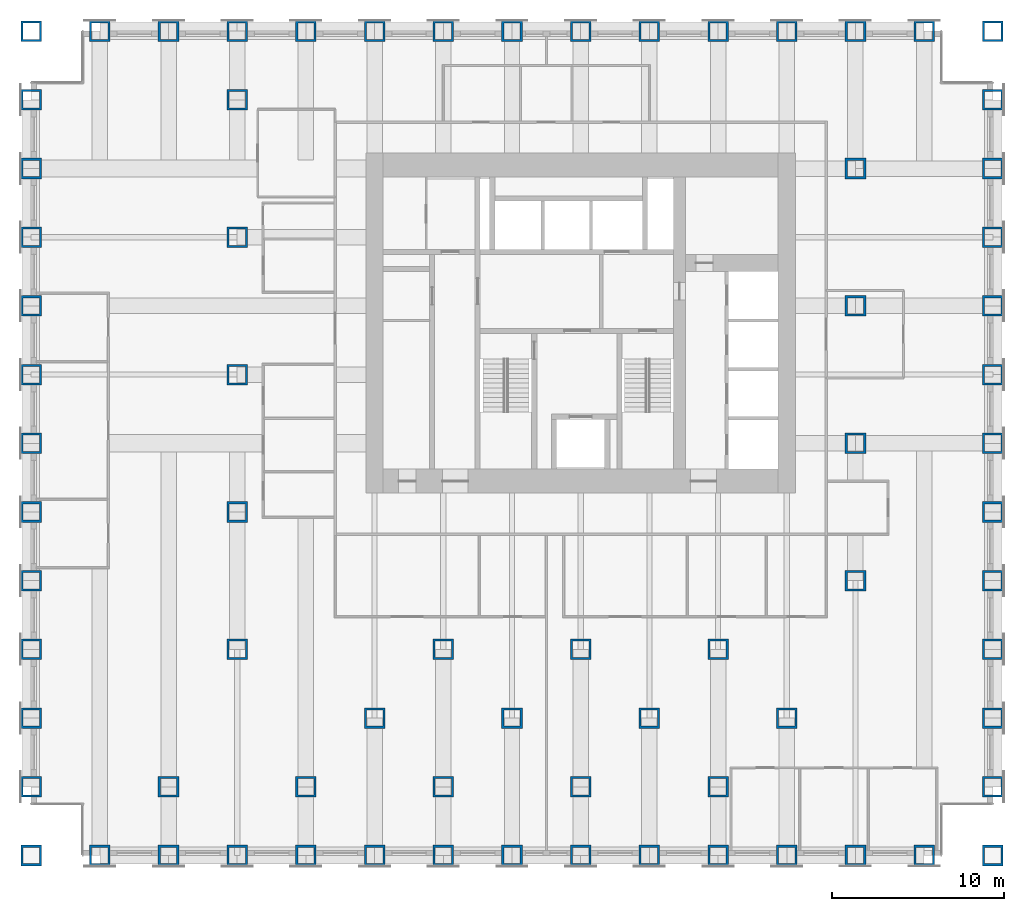
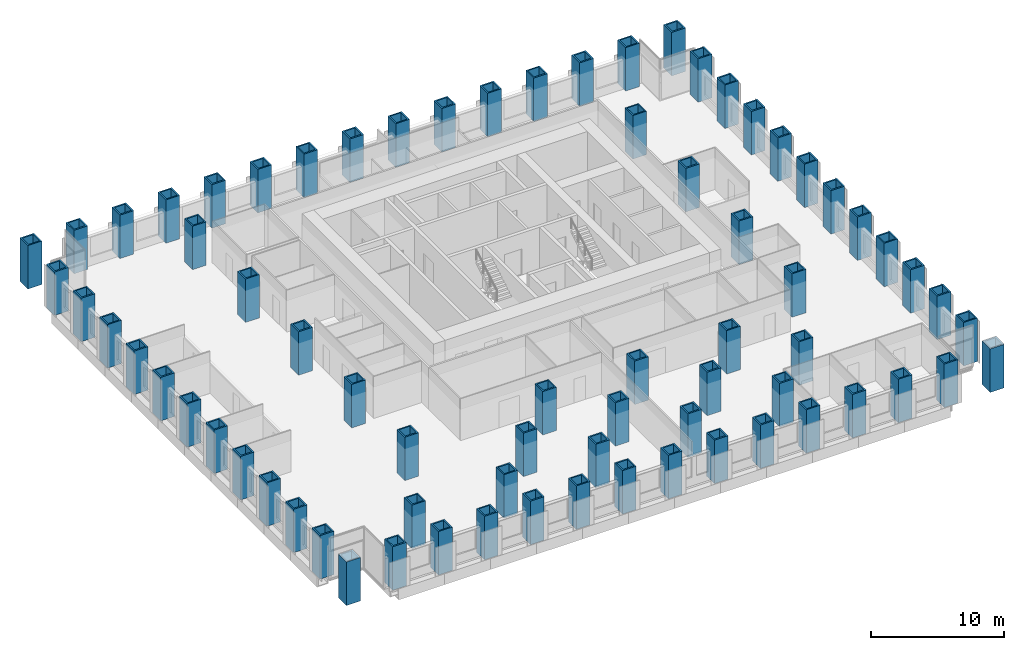
# One storey, part 1 of 15: 73 columns.
"""IFC4 building model written with IfcOpenShell, lengths in metres."""

from ifc_helpers import new_model, si_unit, direction, frame, origin, origin_2d, place, context, subcontext, project, spatial, hollow_rectangle, extrude, material, material_profile, profile_set, type_object, element, save


model = new_model("IFC4")

# Units and contexts
model_context = context("Model", 3, precision=1e-05, world=origin(), true_north=direction((0.0, 1.0)))
body_context = subcontext(model_context, "Body", "Model", "MODEL_VIEW")
ifc_project = project(units=[si_unit("LENGTHUNIT", "METRE"), si_unit("AREAUNIT", "SQUARE_METRE"), si_unit("VOLUMEUNIT", "CUBIC_METRE"), si_unit("PLANEANGLEUNIT", "RADIAN"), si_unit("MASSUNIT", "GRAM", prefix="KILO")], contexts=[model_context])

# Site, building, storey
site_placement = place(None, origin())
site = spatial("IfcSite", under=ifc_project, at=site_placement, CompositionType="ELEMENT")
building_placement = place(site_placement, origin())
building = spatial("IfcBuilding", under=site, at=building_placement, Name="Rimbunsela Tower", CompositionType="ELEMENT")
storey_placement = place(building_placement, frame((0.0, 0.0, 39.0)))
storey = spatial("IfcBuildingStorey", under=building, at=storey_placement, Name="L09", CompositionType="ELEMENT", Elevation=39.0)

# Columns
ifc_material = material(Name="Steel BJ 55 (fy 410 MPa)", Category="steel")
ifc_material_profile = material_profile(ifc_material, hollow_rectangle(XDim=1.199951171875, YDim=1.199951171875, WallThickness=0.125, at=origin_2d()), Name="BOX 1200x1200x125")
ifc_profile_set = profile_set([ifc_material_profile], Name="Steel BJ 55 (fy 410 MPa)")
column_type = type_object("IfcColumnType", Name="Column BOX 1200x1200x125", PredefinedType="COLUMN", material=ifc_profile_set)
for number, where, z_axis, x_axis, name in (
    (1, (-2.0, -4.0, 0.0), (0.0, 0.0, 1.0), (1.0, 0.0, 0.0), "Column C6 2/A L09"),
    (2, (-2.0, 0.0, 0.0), (0.0, 0.0, 1.0), (1.0, 0.0, 0.0), "Column C6 2/B L09"),
    (3, (-2.0, 4.0, 0.0), (0.0, 0.0, 1.0), (1.0, 0.0, 0.0), "Column C6 2/C L09"),
    (4, (-2.0, 8.0, 0.0), (0.0, 0.0, 1.0), (1.0, 0.0, 0.0), "Column C6 2/D L09"),
    (5, (-2.0, 12.0, 0.0), (0.0, 0.0, 1.0), (1.0, 0.0, 0.0), "Column C6 2/E L09"),
    (6, (-2.0, 16.0, 0.0), (0.0, 0.0, 1.0), (1.0, 0.0, 0.0), "Column C6 2/F L09"),
    (7, (-2.0, 20.0, 0.0), (0.0, 0.0, 1.0), (1.0, 0.0, 0.0), "Column C6 2/G L09"),
    (8, (-2.0, 24.0, 0.0), (0.0, 0.0, 1.0), (1.0, 0.0, 0.0), "Column C6 2/H L09"),
    (9, (-2.0, 28.0, 0.0), (0.0, 0.0, 1.0), (1.0, 0.0, 0.0), "Column C6 2/J L09"),
    (10, (-2.0, 32.0, 0.0), (0.0, 0.0, 1.0), (1.0, 0.0, 0.0), "Column C6 2/K L09"),
    (11, (-2.0, 36.0, 0.0), (0.0, 0.0, 1.0), (1.0, 0.0, 0.0), "Column C6 2/L L09"),
    (12, (-2.0, 40.0, 0.0), (0.0, 0.0, 1.0), (1.0, 0.0, 0.0), "Column C6 2/M L09"),
    (13, (-2.0, 44.0, 0.0), (0.0, 0.0, 1.0), (1.0, 0.0, 0.0), "Column C6 2/N L09"),
    (14, (2.0, -4.0, 0.0), (0.0, 0.0, 1.0), (1.0, 0.0, 0.0), "Column C6 3/A L09"),
    (15, (2.0, 44.0, 0.0), (0.0, 0.0, 1.0), (1.0, 0.0, 0.0), "Column C6 3/N L09"),
    (16, (6.0, -4.0, 0.0), (0.0, 0.0, 1.0), (1.0, 0.0, 0.0), "Column C6 4/A L09"),
    (17, (6.0, 44.0, 0.0), (0.0, 0.0, 1.0), (1.0, 0.0, 0.0), "Column C6 4/N L09"),
    (18, (10.0, -4.0, 0.0), (0.0, 0.0, 1.0), (1.0, 0.0, 0.0), "Column C6 5/A L09"),
    (19, (10.0, 44.0, 0.0), (0.0, 0.0, 1.0), (1.0, 0.0, 0.0), "Column C6 5/N L09"),
    (20, (14.0, -4.0, 0.0), (0.0, 0.0, 1.0), (1.0, 0.0, 0.0), "Column C6 6/A L09"),
    (21, (14.0, 44.0, 0.0), (0.0, 0.0, 1.0), (1.0, 0.0, 0.0), "Column C6 6/N L09"),
    (22, (18.0, -4.0, 0.0), (0.0, 0.0, 1.0), (1.0, 0.0, 0.0), "Column C6 7/A L09"),
    (23, (18.0, 44.0, 0.0), (0.0, 0.0, 1.0), (1.0, 0.0, 0.0), "Column C6 7/N L09"),
    (24, (22.0, -4.0, 0.0), (0.0, 0.0, 1.0), (1.0, 0.0, 0.0), "Column C6 8/A L09"),
    (25, (22.0, 44.0, 0.0), (0.0, 0.0, 1.0), (1.0, 0.0, 0.0), "Column C6 8/N L09"),
    (26, (26.0, -4.0, 0.0), (0.0, 0.0, 1.0), (1.0, 0.0, 0.0), "Column C6 9/A L09"),
    (27, (26.0, 44.0, 0.0), (0.0, 0.0, 1.0), (1.0, 0.0, 0.0), "Column C6 9/N L09"),
    (28, (30.0, -4.0, 0.0), (0.0, 0.0, 1.0), (1.0, 0.0, 0.0), "Column C6 10/A L09"),
    (29, (30.0, 44.0, 0.0), (0.0, 0.0, 1.0), (1.0, 0.0, 0.0), "Column C6 10/N L09"),
    (30, (34.0, -4.0, 0.0), (0.0, 0.0, 1.0), (1.0, 0.0, 0.0), "Column C6 11/A L09"),
    (31, (34.0, 44.0, 0.0), (0.0, 0.0, 1.0), (1.0, 0.0, 0.0), "Column C6 11/N L09"),
    (32, (38.0, -4.0, 0.0), (0.0, 0.0, 1.0), (1.0, 0.0, 0.0), "Column C6 12/A L09"),
    (33, (38.0, 44.0, 0.0), (0.0, 0.0, 1.0), (1.0, 0.0, 0.0), "Column C6 12/N L09"),
    (34, (42.0, -4.0, 0.0), (0.0, 0.0, 1.0), (1.0, 0.0, 0.0), "Column C6 13/A L09"),
    (35, (42.0, 44.0, 0.0), (0.0, 0.0, 1.0), (1.0, 0.0, 0.0), "Column C6 13/N L09"),
    (36, (46.0, -4.0, 0.0), (0.0, 0.0, 1.0), (1.0, 0.0, 0.0), "Column C6 14/A L09"),
    (37, (46.0, 44.0, 0.0), (0.0, 0.0, 1.0), (1.0, 0.0, 0.0), "Column C6 14/N L09"),
    (38, (50.0, -4.0, 0.0), (0.0, 0.0, 1.0), (1.0, 0.0, 0.0), "Column C6 15/A L09"),
    (39, (50.0, 44.0, 0.0), (0.0, 0.0, 1.0), (1.0, 0.0, 0.0), "Column C6 15/N L09"),
    (40, (54.0, -4.0, 0.0), (0.0, 0.0, 1.0), (1.0, 0.0, 0.0), "Column C6 16/A L09"),
    (41, (54.0, 0.0, 0.0), (0.0, 0.0, 1.0), (1.0, 0.0, 0.0), "Column C6 16/B L09"),
    (42, (54.0, 4.0, 0.0), (0.0, 0.0, 1.0), (1.0, 0.0, 0.0), "Column C6 16/C L09"),
    (43, (54.0, 8.0, 0.0), (0.0, 0.0, 1.0), (1.0, 0.0, 0.0), "Column C6 16/D L09"),
    (44, (54.0, 12.0, 0.0), (0.0, 0.0, 1.0), (1.0, 0.0, 0.0), "Column C6 16/E L09"),
    (45, (54.0, 16.0, 0.0), (0.0, 0.0, 1.0), (1.0, 0.0, 0.0), "Column C6 16/F L09"),
    (46, (54.0, 20.0, 0.0), (0.0, 0.0, 1.0), (1.0, 0.0, 0.0), "Column C6 16/G L09"),
    (47, (54.0, 24.0, 0.0), (0.0, 0.0, 1.0), (1.0, 0.0, 0.0), "Column C6 16/H L09"),
    (48, (54.0, 28.0, 0.0), (0.0, 0.0, 1.0), (1.0, 0.0, 0.0), "Column C6 16/J L09"),
    (49, (54.0, 32.0, 0.0), (0.0, 0.0, 1.0), (1.0, 0.0, 0.0), "Column C6 16/K L09"),
    (50, (54.0, 36.0, 0.0), (0.0, 0.0, 1.0), (1.0, 0.0, 0.0), "Column C6 16/L L09"),
    (51, (54.0, 40.0, 0.0), (0.0, 0.0, 1.0), (1.0, 0.0, 0.0), "Column C6 16/M L09"),
    (52, (54.0, 44.0, 0.0), (0.0, 0.0, 1.0), (1.0, 0.0, 0.0), "Column C6 16/N L09"),
    (53, (6.0, 0.0, 0.0), (0.0, 0.0, 1.0), (1.0, 0.0, 0.0), "Column C6 4/B L09"),
    (54, (10.0, 8.0, 0.0), (0.0, 0.0, 1.0), (1.0, 0.0, 0.0), "Column C6 5/D L09"),
    (55, (10.0, 16.0, 0.0), (0.0, 0.0, 1.0), (1.0, 0.0, 0.0), "Column C6 5/F L09"),
    (56, (10.0, 24.0, 0.0), (0.0, 0.0, 1.0), (1.0, 0.0, 0.0), "Column C6 5/H L09"),
    (57, (10.0, 32.0, 0.0), (0.0, 0.0, 1.0), (1.0, 0.0, 0.0), "Column C6 5/K L09"),
    (58, (10.0, 40.0, 0.0), (0.0, 0.0, 1.0), (1.0, 0.0, 0.0), "Column C6 5/M L09"),
    (59, (14.0, 0.0, 0.0), (0.0, 0.0, 1.0), (1.0, 0.0, 0.0), "Column C6 6/B L09"),
    (60, (18.0, 4.0, 0.0), (0.0, 0.0, 1.0), (1.0, 0.0, 0.0), "Column C6 7/C L09"),
    (61, (22.0, 0.0, 0.0), (0.0, 0.0, 1.0), (1.0, 0.0, 0.0), "Column C6 8/B L09"),
    (62, (22.0, 8.0, 0.0), (0.0, 0.0, 1.0), (1.0, 0.0, 0.0), "Column C6 8/D L09"),
    (63, (26.0, 4.0, 0.0), (0.0, 0.0, 1.0), (1.0, 0.0, 0.0), "Column C6 9/C L09"),
    (64, (30.0, 0.0, 0.0), (0.0, 0.0, 1.0), (1.0, 0.0, 0.0), "Column C6 10/B L09"),
    (65, (30.0, 8.0, 0.0), (0.0, 0.0, 1.0), (1.0, 0.0, 0.0), "Column C6 10/D L09"),
    (66, (34.0, 4.0, 0.0), (0.0, 0.0, 1.0), (1.0, 0.0, 0.0), "Column C6 11/C L09"),
    (67, (38.0, 0.0, 0.0), (0.0, 0.0, 1.0), (1.0, 0.0, 0.0), "Column C6 12/B L09"),
    (68, (38.0, 8.0, 0.0), (0.0, 0.0, 1.0), (1.0, 0.0, 0.0), "Column C6 12/D L09"),
    (69, (42.0, 4.0, 0.0), (0.0, 0.0, 1.0), (1.0, 0.0, 0.0), "Column C6 13/C L09"),
    (70, (46.0, 12.0, 0.0), (0.0, 0.0, 1.0), (1.0, 0.0, 0.0), "Column C6 14/E L09"),
    (71, (46.0, 20.0, 0.0), (0.0, 0.0, 1.0), (1.0, 0.0, 0.0), "Column C6 14/G L09"),
    (72, (46.0, 28.0, 0.0), (0.0, 0.0, 1.0), (1.0, 0.0, 0.0), "Column C6 14/J L09"),
    (73, (46.0, 36.0, 0.0), (0.0, 0.0, 1.0), (1.0, 0.0, 0.0), "Column C6 14/L L09"),
):
    element("IfcColumn", number, at=place(storey_placement, frame(where, z_axis=z_axis, x_axis=x_axis)), inside=storey, type_object=column_type, Name=name, PredefinedType="COLUMN", context=body_context, shape_type="SweptSolid", body=[
        extrude(hollow_rectangle(XDim=1.199951171875, YDim=1.199951171875, WallThickness=0.125, at=origin_2d()), origin(), (0.0, 0.0, 1.0), 4.0),
    ])

save(model, "model.ifc")
